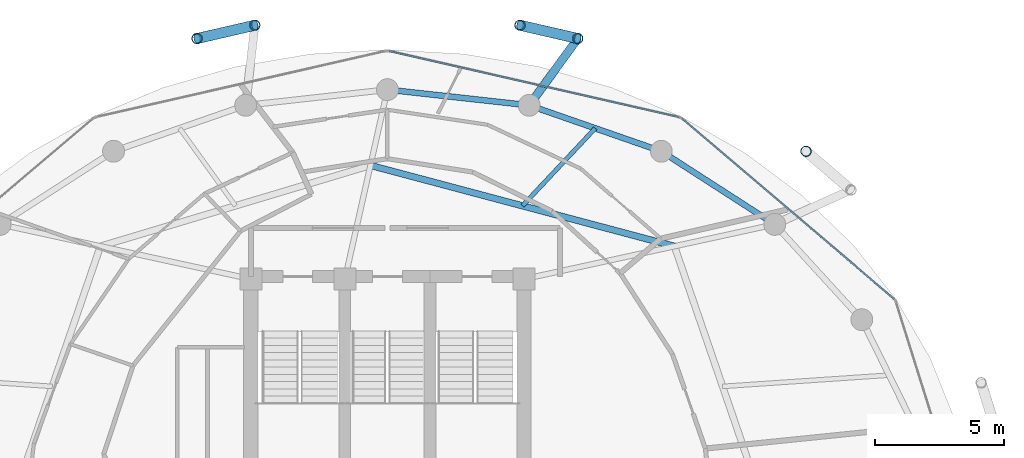
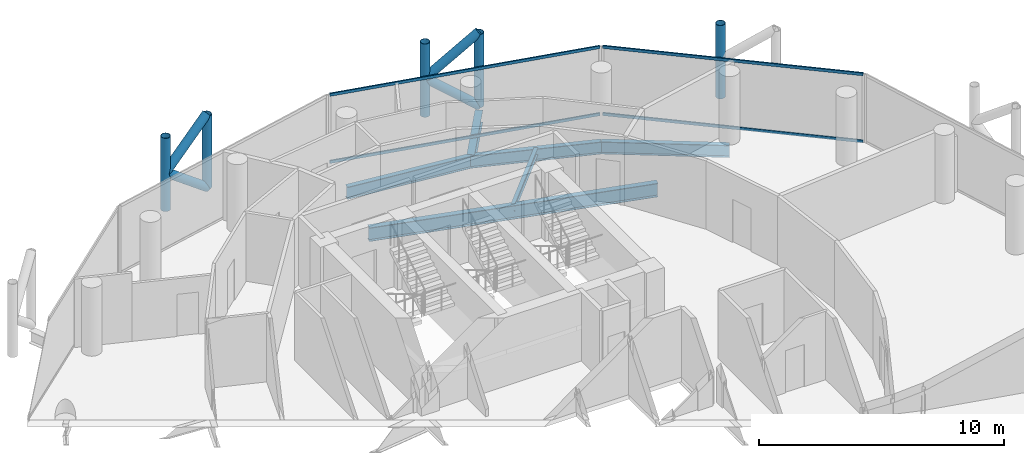
# One storey, part 20 of 27: 13 members, 6 beams, 2 elements without a shape of their own.
"""IFC4 building model written with IfcOpenShell, lengths in metres."""

from ifc_helpers import new_model, si_unit, direction, frame, origin, origin_2d, place, context, subcontext, project, spatial, hollow_rectangle, hollow_circle, i_section, extrude, material, layer, layer_set, material_profile, profile_set, type_object, element, aggregate, save


model = new_model("IFC4")

# Units and contexts
model_context = context("Model", 3, precision=1e-05, world=origin(), true_north=direction((0.0, 1.0)))
body_context = subcontext(model_context, "Body", "Model", "MODEL_VIEW")
ifc_project = project(units=[si_unit("LENGTHUNIT", "METRE"), si_unit("AREAUNIT", "SQUARE_METRE"), si_unit("VOLUMEUNIT", "CUBIC_METRE"), si_unit("PLANEANGLEUNIT", "RADIAN"), si_unit("MASSUNIT", "GRAM", prefix="KILO")], contexts=[model_context])

# Site, building, storey
site_placement = place(None, origin())
site = spatial("IfcSite", under=ifc_project, at=site_placement, CompositionType="ELEMENT")
building_placement = place(site_placement, origin())
building = spatial("IfcBuilding", under=site, at=building_placement, Name="Nuhasar Tower", CompositionType="ELEMENT")
storey_placement = place(building_placement, frame((0.0, 0.0, 211.800048828125)))
storey = spatial("IfcBuildingStorey", under=building, at=storey_placement, Name="L51", CompositionType="ELEMENT", Elevation=211.800048828125)

# Beams
ifc_material_1 = material(Name="Steel S355", Category="steel")
ifc_material_profile_1 = material_profile(ifc_material_1, i_section(OverallWidth=0.25390625, OverallDepth=0.68408203125, WebThickness=0.012451171875, FlangeThickness=0.018798828125, at=origin_2d()), Name="W27X94")
ifc_profile_set_1 = profile_set([ifc_material_profile_1], Name="Steel S355")
beam_type_1 = type_object("IfcBeamType", Name="BM-INRING-W27X94", PredefinedType="BEAM", material=ifc_profile_set_1)
beam_1_placement = place(storey_placement, frame((50.135986328125, 38.572998046875, -0.58203125), z_axis=(-0.966410333243, 0.257004022929, 0.0), x_axis=(-0.257004022929, -0.966410333243, 0.0)))
element("IfcBeam", 1, at=beam_1_placement, inside=storey, type_object=beam_type_1, Name="L51 Inner Header Beam 05", PredefinedType="BEAM", context=body_context, shape_type="SweptSolid", body=[
    extrude(i_section(OverallWidth=0.25390625, OverallDepth=0.68408203125, WebThickness=0.012451171875, FlangeThickness=0.018798828125, at=origin_2d()), origin(), (0.0, 0.0, 1.0), 12.205810546875),
])
ifc_material_profile_2 = material_profile(ifc_material_1, i_section(OverallWidth=0.1708984375, OverallDepth=0.35205078125, WebThickness=0.0068359375, FlangeThickness=0.009765625, at=origin_2d()), Name="W14X30")
ifc_profile_set_2 = profile_set([ifc_material_profile_2], Name="Steel S355")
beam_type_2 = type_object("IfcBeamType", Name="BM-JST-W14X30", PredefinedType="JOIST", material=ifc_profile_set_2)
beam_2_placement = place(storey_placement, frame((44.238037109375, 40.14208984375, -0.416015625), z_axis=(0.684358245116, 0.729145933501, 0.0), x_axis=(-0.729145933501, 0.684358245116, 0.0)))
element("IfcBeam", 2, at=beam_2_placement, inside=storey, type_object=beam_type_2, Name="L51 Secondary Floor Joist 05", PredefinedType="JOIST", context=body_context, shape_type="SweptSolid", body=[
    extrude(i_section(OverallWidth=0.1708984375, OverallDepth=0.35205078125, WebThickness=0.0068359375, FlangeThickness=0.009765625, at=origin_2d()), origin(), (0.0, 0.0, 1.0), 4.12646484375),
])
ifc_material_profile_3 = material_profile(ifc_material_1, i_section(OverallWidth=0.22802734375, OverallDepth=0.60791015625, WebThickness=0.01123046875, FlangeThickness=0.017333984375, at=origin_2d()), Name="W24X76")
ifc_profile_set_3 = profile_set([ifc_material_profile_3], Name="Steel S355")
beam_type_3 = type_object("IfcBeamType", Name="BM-RING-W24X76", PredefinedType="SPANDREL", material=ifc_profile_set_3)
beam_3_placement = place(storey_placement, frame((54.02587890625, 39.422119140625, -0.5439453125), z_axis=(-0.840502144969, 0.541808217272, 0.0), x_axis=(-0.541808217272, -0.840502144969, 0.0)))
element("IfcBeam", 3, at=beam_3_placement, inside=storey, type_object=beam_type_3, Name="L51 Perimeter Ring Spandrel 04", PredefinedType="SPANDREL", context=body_context, shape_type="SweptSolid", body=[
    extrude(i_section(OverallWidth=0.22802734375, OverallDepth=0.60791015625, WebThickness=0.01123046875, FlangeThickness=0.017333984375, at=origin_2d()), origin(), (0.0, 0.0, 1.0), 5.236083984375),
])
beam_4_placement = place(storey_placement, frame((49.625, 42.259033203125, -0.5439453125), z_axis=(-0.944476764686, 0.328578211342, 0.0), x_axis=(-0.328578211342, -0.944476764686, 0.0)))
element("IfcBeam", 4, at=beam_4_placement, inside=storey, type_object=beam_type_3, Name="L51 Perimeter Ring Spandrel 05", PredefinedType="SPANDREL", context=body_context, shape_type="SweptSolid", body=[
    extrude(i_section(OverallWidth=0.22802734375, OverallDepth=0.60791015625, WebThickness=0.01123046875, FlangeThickness=0.017333984375, at=origin_2d()), origin(), (0.0, 0.0, 1.0), 5.42626953125),
])
beam_5_placement = place(storey_placement, frame((44.5, 44.0419921875, -0.5439453125), z_axis=(-0.993947060915, 0.109860093292, 0.0), x_axis=(-0.109860093292, -0.993947060915, 0.0)))
element("IfcBeam", 5, at=beam_5_placement, inside=storey, type_object=beam_type_3, Name="L51 Perimeter Ring Spandrel 06", PredefinedType="SPANDREL", context=body_context, shape_type="SweptSolid", body=[
    extrude(i_section(OverallWidth=0.22802734375, OverallDepth=0.60791015625, WebThickness=0.01123046875, FlangeThickness=0.017333984375, at=origin_2d()), origin(), (0.0, 0.0, 1.0), 5.533447265625),
])
ifc_material_profile_4 = material_profile(ifc_material_1, i_section(OverallWidth=0.323974609375, OverallDepth=0.611083984375, WebThickness=0.0126953125, FlangeThickness=0.01904296875, at=origin_2d()), Name="W24X104")
ifc_profile_set_4 = profile_set([ifc_material_profile_4], Name="Steel S355")
beam_type_4 = type_object("IfcBeamType", Name="BM-TIE-W24X104", PredefinedType="BEAM", material=ifc_profile_set_4)
beam_6_placement = place(storey_placement, frame((44.5, 44.0419921875, -0.545166015625), z_axis=(0.588094663461, 0.808792103577, 0.0), x_axis=(-0.808792103577, 0.588094663461, 0.0)))
element("IfcBeam", 6, at=beam_6_placement, inside=storey, type_object=beam_type_4, Name="L51 Exoskeleton Node Tie Beam 03", PredefinedType="BEAM", context=body_context, shape_type="SweptSolid", body=[
    extrude(i_section(OverallWidth=0.323974609375, OverallDepth=0.611083984375, WebThickness=0.0126953125, FlangeThickness=0.01904296875, at=origin_2d()), origin(), (0.0, 0.0, 1.0), 3.20361328125),
])

# Curtain wall, members
ifc_material_2 = material(Name="Aluminium 6063-T6", Category="aluminium")
ifc_layer = layer(ifc_material_2, 0.18994140625)
ifc_layer_set = layer_set([ifc_layer], Name="Aluminium 6063-T6")
curtain_wall_type = type_object("IfcCurtainWallType", Name="CW-Z3-RES", PredefinedType="NOTDEFINED", material=ifc_layer_set)
curtain_wall_1_placement = place(storey_placement, origin())
curtain_wall_1 = element("IfcCurtainWall", 7, at=curtain_wall_1_placement, inside=storey, type_object=curtain_wall_type, Name="L51 Unitised Curtain Wall 02", PredefinedType="NOTDEFINED")
ifc_material_profile_5 = material_profile(ifc_material_2, hollow_rectangle(XDim=0.06494140625, YDim=0.139892578125, WallThickness=0.00439453125, at=origin_2d()), Name="CWT-4")
ifc_profile_set_5 = profile_set([ifc_material_profile_5], Name="Aluminium 6063-T6")
member_type_1 = type_object("IfcMemberType", Name="CW-TRN-S4", PredefinedType="USERDEFINED", material=ifc_profile_set_5)
member_1_placement = place(storey_placement, frame((58.661376953125, 36.522216796875, 0.032470703125), z_axis=(-0.761730809511, 0.647893643928, 0.0), x_axis=(-0.647893643928, -0.761730809511, 0.0)))
member_1 = element("IfcMember", 8, at=member_1_placement, type_object=member_type_1, Name="CW-Z3 transom 1.1", ObjectType="TRANSOM", PredefinedType="USERDEFINED", context=body_context, shape_type="SweptSolid", body=[
    extrude(hollow_rectangle(XDim=0.06494140625, YDim=0.139892578125, WallThickness=0.00439453125, at=origin_2d()), origin(), (0.0, 0.0, 1.0), 10.806884765625),
])
member_2_placement = place(storey_placement, frame((58.661376953125, 36.522216796875, 3.37744140625), z_axis=(-0.761730809511, 0.647893643928, 0.0), x_axis=(-0.647893643928, -0.761730809511, 0.0)))
member_2 = element("IfcMember", 9, at=member_2_placement, type_object=member_type_1, Name="CW-Z3 transom 1.2", ObjectType="TRANSOM", PredefinedType="USERDEFINED", context=body_context, shape_type="SweptSolid", body=[
    extrude(hollow_rectangle(XDim=0.06494140625, YDim=0.139892578125, WallThickness=0.00439453125, at=origin_2d()), origin(), (0.0, 0.0, 1.0), 10.806884765625),
])
aggregate(curtain_wall_1, [member_1, member_2])

curtain_wall_2_placement = place(storey_placement, origin())
curtain_wall_2 = element("IfcCurtainWall", 10, at=curtain_wall_2_placement, inside=storey, type_object=curtain_wall_type, Name="L51 Unitised Curtain Wall 03", PredefinedType="NOTDEFINED")
member_3_placement = place(storey_placement, frame((50.316650390625, 43.58056640625, 0.032470703125), z_axis=(-0.974994070913, 0.222230874732, 0.0), x_axis=(-0.222230874732, -0.974994070913, 0.0)))
member_3 = element("IfcMember", 11, at=member_3_placement, type_object=member_type_1, Name="CW-Z3 transom 1.1", ObjectType="TRANSOM", PredefinedType="USERDEFINED", context=body_context, shape_type="SweptSolid", body=[
    extrude(hollow_rectangle(XDim=0.06494140625, YDim=0.139892578125, WallThickness=0.00439453125, at=origin_2d()), origin(), (0.0, 0.0, 1.0), 11.541748046875),
])
member_4_placement = place(storey_placement, frame((50.316650390625, 43.58056640625, 3.37744140625), z_axis=(-0.974994070913, 0.222230874732, 0.0), x_axis=(-0.222230874732, -0.974994070913, 0.0)))
member_4 = element("IfcMember", 12, at=member_4_placement, type_object=member_type_1, Name="CW-Z3 transom 1.2", ObjectType="TRANSOM", PredefinedType="USERDEFINED", context=body_context, shape_type="SweptSolid", body=[
    extrude(hollow_rectangle(XDim=0.06494140625, YDim=0.139892578125, WallThickness=0.00439453125, at=origin_2d()), origin(), (0.0, 0.0, 1.0), 11.541748046875),
])
aggregate(curtain_wall_2, [member_3, member_4])

# Members
ifc_material_3 = material(Name="Steel S460", Category="steel")
ifc_material_profile_6 = material_profile(ifc_material_3, hollow_circle(Radius=0.203125, WallThickness=0.01904296875, at=origin_2d()), Name="HSS406.4X19.1")
ifc_profile_set_6 = profile_set([ifc_material_profile_6], Name="Steel S460")
member_type_2 = type_object("IfcMemberType", Name="EXO-BRONZE-406", PredefinedType="BRACE", material=ifc_profile_set_6)
for number, where, z_axis, x_axis, name in (
    (13, (55.239990234375, 42.257080078125, 0.0), (0.0, 0.0, 1.0), (1.0, 0.0, 0.0), "L51 Exoskeleton Chord Column EC-02B"),
    (14, (46.384033203125, 46.633056640625, 0.0), (0.0, 0.0, 1.0), (1.0, 0.0, 0.0), "L51 Exoskeleton Chord Column EC-03A"),
    (15, (44.14306640625, 47.14892578125, 0.0), (0.0, 0.0, 1.0), (1.0, 0.0, 0.0), "L51 Exoskeleton Chord Column EC-03B"),
    (16, (33.85693359375, 47.14892578125, 0.0), (0.0, 0.0, 1.0), (1.0, 0.0, 0.0), "L51 Exoskeleton Chord Column EC-04A"),
    (17, (31.615966796875, 46.633056640625, 0.0), (0.0, 0.0, 1.0), (1.0, 0.0, 0.0), "L51 Exoskeleton Chord Column EC-04B"),
):
    element("IfcMember", number, at=place(storey_placement, frame(where, z_axis=z_axis, x_axis=x_axis)), inside=storey, type_object=member_type_2, Name=name, PredefinedType="BRACE", context=body_context, shape_type="SweptSolid", body=[
        extrude(hollow_circle(Radius=0.203125, WallThickness=0.01904296875, at=origin_2d()), origin(), (0.0, 0.0, 1.0), 3.64990234375),
    ])
for number, where, z_axis, x_axis, name in (
    (18, (46.384033203125, 46.633056640625, 0.0), (-0.763342741922, 0.175721016852, 0.621634927101), (-0.224332214284, -0.974512728308, 0.0), "L51 Bronze Diagrid Brace W1-03"),
    (19, (44.14306640625, 47.14892578125, 1.824951171875), (0.763342741922, -0.175721016852, 0.621634927101), (0.224332214284, 0.974512728308, 0.0), "L51 Bronze Diagrid Brace W2-03"),
    (20, (33.85693359375, 47.14892578125, 0.0), (-0.763342741922, -0.175721016852, 0.621634927101), (0.224332214284, -0.974512728308, 0.0), "L51 Bronze Diagrid Brace W1-04"),
    (21, (31.615966796875, 46.633056640625, 1.824951171875), (0.763342741922, 0.175721016852, 0.621634927101), (-0.224332214284, 0.974512728308, 0.0), "L51 Bronze Diagrid Brace W2-04"),
):
    element("IfcMember", number, at=place(storey_placement, frame(where, z_axis=z_axis, x_axis=x_axis)), inside=storey, type_object=member_type_2, Name=name, PredefinedType="BRACE", context=body_context, shape_type="SweptSolid", body=[
        extrude(hollow_circle(Radius=0.203125, WallThickness=0.01904296875, at=origin_2d()), origin(), (0.0, 0.0, 1.0), 2.935791015625),
    ])

save(model, "model.ifc")
